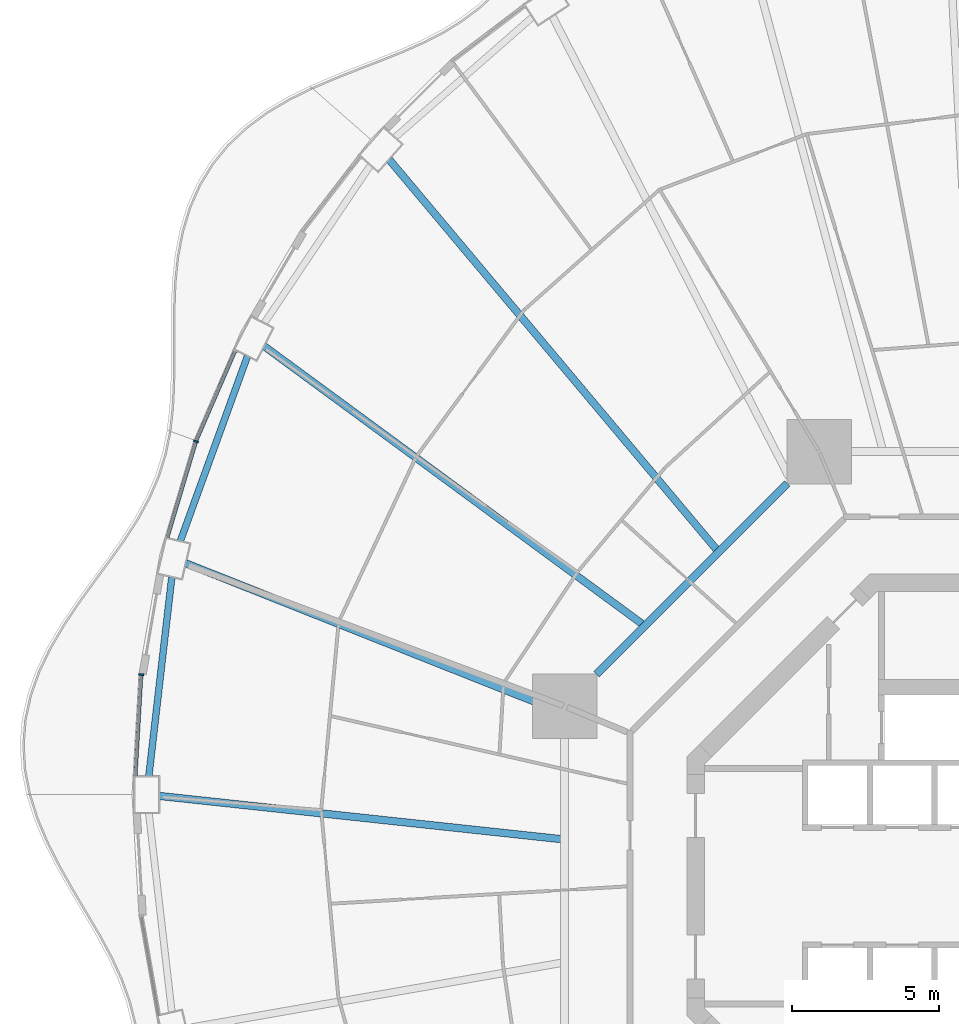
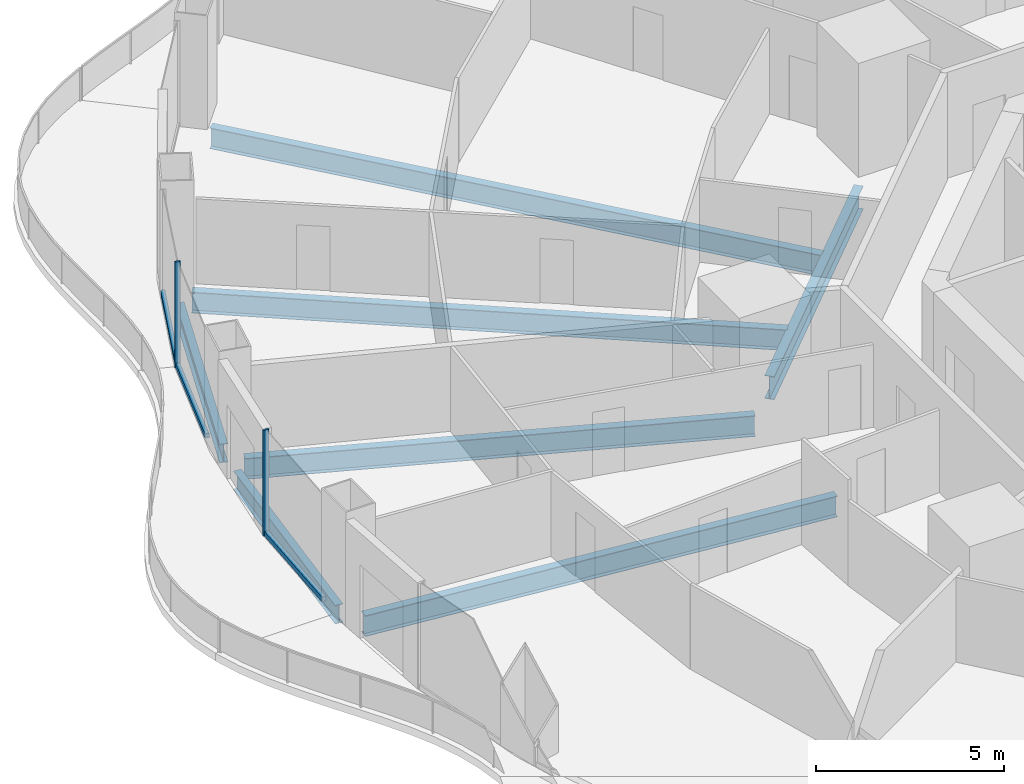
# One storey, part 7 of 22: 7 beams, 5 members, 3 elements without a shape of their own.
"""IFC4 building model written with IfcOpenShell, lengths in metres."""

from ifc_helpers import new_model, si_unit, direction, frame, origin, origin_2d, place, context, subcontext, project, spatial, rectangle, i_section, extrude, material, layer, layer_set, material_profile, profile_set, type_object, element, aggregate, save


model = new_model("IFC4")

# Units and contexts
model_context = context("Model", 3, precision=1e-05, world=origin(), true_north=direction((0.0, 1.0)))
body_context = subcontext(model_context, "Body", "Model", "MODEL_VIEW")
ifc_project = project(units=[si_unit("LENGTHUNIT", "METRE"), si_unit("AREAUNIT", "SQUARE_METRE"), si_unit("VOLUMEUNIT", "CUBIC_METRE"), si_unit("PLANEANGLEUNIT", "RADIAN"), si_unit("MASSUNIT", "GRAM", prefix="KILO")], contexts=[model_context])

# Site, building, storey
site_placement = place(None, origin())
site = spatial("IfcSite", under=ifc_project, at=site_placement, CompositionType="ELEMENT")
building_placement = place(site_placement, origin())
building = spatial("IfcBuilding", under=site, at=building_placement, Name="Nagisa Residences", CompositionType="ELEMENT")
storey_placement = place(building_placement, frame((0.0, 0.0, 88.10009765625)))
storey = spatial("IfcBuildingStorey", under=building, at=storey_placement, Name="L21", CompositionType="ELEMENT", Elevation=88.10009765625)

# Curtain wall, member
ifc_material_1 = material(Name="Concrete-coloured aluminium curtain wall system", Category="concrete")
ifc_layer = layer(ifc_material_1, 0.159912109375)
ifc_layer_set = layer_set([ifc_layer], Name="CW1 CURTAIN WALL")
curtain_wall_type = type_object("IfcCurtainWallType", Name="CW1 CURTAIN WALL", PredefinedType="NOTDEFINED", material=ifc_layer_set)
curtain_wall_1_placement = place(storey_placement, origin())
curtain_wall_1 = element("IfcCurtainWall", 1, at=curtain_wall_1_placement, inside=storey, type_object=curtain_wall_type, Name="cw:CW1:L21:21", PredefinedType="NOTDEFINED")
ifc_material_2 = material(Name="Concrete-coloured aluminium", Category="concrete")
ifc_material_profile_1 = material_profile(ifc_material_2, rectangle(XDim=0.159912109375, YDim=0.06005859375, at=origin_2d()), Name="CW1 MULLION 160x60")
ifc_profile_set_1 = profile_set([ifc_material_profile_1], Name="Concrete-coloured aluminium")
member_type_1 = type_object("IfcMemberType", Name="CW1 MULLION 160x60", PredefinedType="MULLION", material=ifc_profile_set_1)
member_1_placement = place(storey_placement, frame((-27.31884765625, 15.12646484375, 0.0), z_axis=(0.0, 0.0, 1.0), x_axis=(0.958271310082, -0.285860274038, 0.0)))
member_1 = element("IfcMember", 2, at=member_1_placement, type_object=member_type_1, Name="CW1 mullion", PredefinedType="MULLION", context=body_context, shape_type="SweptSolid", body=[
    extrude(rectangle(XDim=0.159912109375, YDim=0.06005859375, at=origin_2d()), origin(), (0.0, 0.0, 1.0), 3.43994140625),
])

curtain_wall_2_placement = place(storey_placement, origin())
curtain_wall_2 = element("IfcCurtainWall", 3, at=curtain_wall_2_placement, inside=storey, type_object=curtain_wall_type, Name="cw:CW1:L21:23", PredefinedType="NOTDEFINED")
member_2_placement = place(storey_placement, frame((-29.179931640625, 7.19677734375, 0.0), z_axis=(0.0, 0.0, 1.0), x_axis=(0.998345305184, -0.057503492216, 0.0)))
member_2 = element("IfcMember", 4, at=member_2_placement, type_object=member_type_1, Name="CW1 mullion", PredefinedType="MULLION", context=body_context, shape_type="SweptSolid", body=[
    extrude(rectangle(XDim=0.159912109375, YDim=0.06005859375, at=origin_2d()), origin(), (0.0, 0.0, 1.0), 3.43994140625),
])

curtain_wall_3_placement = place(storey_placement, origin())
curtain_wall_3 = element("IfcCurtainWall", 5, at=curtain_wall_3_placement, inside=storey, type_object=curtain_wall_type, Name="cw:CW1:L21:20", PredefinedType="NOTDEFINED")
ifc_material_3 = material(Name="Concrete-coloured aluminium", Category="concrete")
ifc_material_profile_2 = material_profile(ifc_material_3, rectangle(XDim=0.1201171875, YDim=0.14990234375, at=origin_2d()), Name="CW1 TRANSOM 120x150")
ifc_profile_set_2 = profile_set([ifc_material_profile_2], Name="Concrete-coloured aluminium")
member_type_2 = type_object("IfcMemberType", Name="CW1 TRANSOM 120x150", PredefinedType="USERDEFINED", material=ifc_profile_set_2)
member_3_placement = place(storey_placement, frame((-25.9697265625, 18.2470703125, 0.074951171875), z_axis=(-0.397621629246, -0.917549475481, 0.0), x_axis=(0.917549475481, -0.397621629246, 0.0)))
member_3 = element("IfcMember", 6, at=member_3_placement, type_object=member_type_2, Name="CW1 transom", ObjectType="TRANSOM", PredefinedType="USERDEFINED", context=body_context, shape_type="SweptSolid", body=[
    extrude(rectangle(XDim=0.1201171875, YDim=0.14990234375, at=origin_2d()), origin(), (0.0, 0.0, 1.0), 3.37939453125),
])
aggregate(curtain_wall_3, [member_3])

# Member
member_4_placement = place(storey_placement, frame((-27.310302734375, 15.155029296875, 0.074951171875), z_axis=(-0.285816610469, -0.958284334203, 0.0), x_axis=(0.958284334203, -0.285816610469, 0.0)))
member_4 = element("IfcMember", 7, at=member_4_placement, type_object=member_type_2, Name="CW1 transom", ObjectType="TRANSOM", PredefinedType="USERDEFINED", context=body_context, shape_type="SweptSolid", body=[
    extrude(rectangle(XDim=0.1201171875, YDim=0.14990234375, at=origin_2d()), origin(), (0.0, 0.0, 1.0), 3.423583984375),
])

aggregate(curtain_wall_1, [member_1, member_4])

member_5_placement = place(storey_placement, frame((-29.17822265625, 7.2265625, 0.074951171875), z_axis=(-0.057476526179, -0.99834685803, 0.0), x_axis=(0.99834685803, -0.057476526179, 0.0)))
member_5 = element("IfcMember", 8, at=member_5_placement, type_object=member_type_2, Name="CW1 transom", ObjectType="TRANSOM", PredefinedType="USERDEFINED", context=body_context, shape_type="SweptSolid", body=[
    extrude(rectangle(XDim=0.1201171875, YDim=0.14990234375, at=origin_2d()), origin(), (0.0, 0.0, 1.0), 3.47021484375),
])

aggregate(curtain_wall_2, [member_2, member_5])

# Beams
ifc_material_4 = material(Name="Steel ASTM A572 Gr 50", Category="steel")
ifc_material_profile_3 = material_profile(ifc_material_4, i_section(OverallWidth=0.264892578125, OverallDepth=0.7529296875, WebThickness=0.01318359375, FlangeThickness=0.01708984375, at=origin_2d()), Name="W760x147")
ifc_profile_set_3 = profile_set([ifc_material_profile_3], Name="Steel ASTM A572 Gr 50")
beam_type_1 = type_object("IfcBeamType", Name="Inner ring beam W760x147", PredefinedType="BEAM", material=ifc_profile_set_3)
beam_1_placement = place(storey_placement, frame((-7.208740234375, 13.6962890625, -0.63671875), z_axis=(-0.707106781187, -0.707106781187, 0.0), x_axis=(0.707106781187, -0.707106781187, 0.0)))
element("IfcBeam", 9, at=beam_1_placement, inside=storey, type_object=beam_type_1, Name="beam:L21:ib3", PredefinedType="BEAM", context=body_context, shape_type="SweptSolid", body=[
    extrude(i_section(OverallWidth=0.264892578125, OverallDepth=0.7529296875, WebThickness=0.01318359375, FlangeThickness=0.01708984375, at=origin_2d()), origin(), (0.0, 0.0, 1.0), 9.1748046875),
])
ifc_material_5 = material(Name="Steel ASTM A572 Gr 50", Category="steel")
ifc_material_profile_4 = material_profile(ifc_material_5, i_section(OverallWidth=0.22802734375, OverallDepth=0.60302734375, WebThickness=0.010498046875, FlangeThickness=0.014892578125, at=origin_2d()), Name="W610x101")
ifc_profile_set_4 = profile_set([ifc_material_profile_4], Name="Steel ASTM A572 Gr 50")
beam_type_2 = type_object("IfcBeamType", Name="Perimeter ring beam W610x101", PredefinedType="BEAM", material=ifc_profile_set_4)
beam_2_placement = place(storey_placement, frame((-25.568359375, 18.028564453125, -0.5615234375), z_axis=(-0.341365002286, -0.939930814057, 0.0), x_axis=(0.939930814057, -0.341365002286, 0.0)))
element("IfcBeam", 10, at=beam_2_placement, inside=storey, type_object=beam_type_2, Name="beam:L21:pb11", PredefinedType="BEAM", context=body_context, shape_type="SweptSolid", body=[
    extrude(i_section(OverallWidth=0.22802734375, OverallDepth=0.60302734375, WebThickness=0.010498046875, FlangeThickness=0.014892578125, at=origin_2d()), origin(), (0.0, 0.0, 1.0), 6.689208984375),
])
beam_3_placement = place(storey_placement, frame((-28.14111328125, 10.5146484375, -0.5615234375), z_axis=(-0.114690766503, -0.993401242237, 0.0), x_axis=(0.993401242237, -0.114690766503, 0.0)))
element("IfcBeam", 11, at=beam_3_placement, inside=storey, type_object=beam_type_2, Name="beam:L21:pb12", PredefinedType="BEAM", context=body_context, shape_type="SweptSolid", body=[
    extrude(i_section(OverallWidth=0.22802734375, OverallDepth=0.60302734375, WebThickness=0.010498046875, FlangeThickness=0.014892578125, at=origin_2d()), origin(), (0.0, 0.0, 1.0), 6.811767578125),
])
ifc_material_6 = material(Name="Steel ASTM A572 Gr 50", Category="steel")
ifc_material_profile_5 = material_profile(ifc_material_6, i_section(OverallWidth=0.2529296875, OverallDepth=0.677978515625, WebThickness=0.01171875, FlangeThickness=0.016357421875, at=origin_2d()), Name="W690x125")
ifc_profile_set_5 = profile_set([ifc_material_profile_5], Name="Steel ASTM A572 Gr 50")
beam_type_3 = type_object("IfcBeamType", Name="Radial beam W690x125", PredefinedType="BEAM", material=ifc_profile_set_5)
beam_4_placement = place(storey_placement, frame((-20.75, 24.71533203125, -0.59912109375), z_axis=(0.642994706096, -0.765870620884, 0.0), x_axis=(0.765870620884, 0.642994706096, 0.0)))
element("IfcBeam", 12, at=beam_4_placement, inside=storey, type_object=beam_type_3, Name="beam:L21:rb10", PredefinedType="BEAM", context=body_context, shape_type="SweptSolid", body=[
    extrude(i_section(OverallWidth=0.2529296875, OverallDepth=0.677978515625, WebThickness=0.01171875, FlangeThickness=0.016357421875, at=origin_2d()), origin(), (0.0, 0.0, 1.0), 17.319580078125),
])
beam_5_placement = place(storey_placement, frame((-25.0, 18.366943359375, -0.59912109375), z_axis=(0.805892392895, -0.59206203313, 0.0), x_axis=(0.59206203313, 0.805892392895, 0.0)))
element("IfcBeam", 13, at=beam_5_placement, inside=storey, type_object=beam_type_3, Name="beam:L21:rb11", PredefinedType="BEAM", context=body_context, shape_type="SweptSolid", body=[
    extrude(i_section(OverallWidth=0.2529296875, OverallDepth=0.677978515625, WebThickness=0.01171875, FlangeThickness=0.016357421875, at=origin_2d()), origin(), (0.0, 0.0, 1.0), 15.95361328125),
])
beam_6_placement = place(storey_placement, frame((-27.6640625, 10.984375, -0.59912109375), z_axis=(0.929418643834, -0.369027078267, 0.0), x_axis=(0.369027078267, 0.929418643834, 0.0)))
element("IfcBeam", 14, at=beam_6_placement, inside=storey, type_object=beam_type_3, Name="beam:L21:rb12", PredefinedType="BEAM", context=body_context, shape_type="SweptSolid", body=[
    extrude(i_section(OverallWidth=0.2529296875, OverallDepth=0.677978515625, WebThickness=0.01171875, FlangeThickness=0.016357421875, at=origin_2d()), origin(), (0.0, 0.0, 1.0), 13.73779296875),
])
beam_7_placement = place(storey_placement, frame((-28.56494140625, 3.071533203125, -0.59912109375), z_axis=(0.99426817007, -0.10691494744, 0.0), x_axis=(0.10691494744, 0.99426817007, 0.0)))
element("IfcBeam", 15, at=beam_7_placement, inside=storey, type_object=beam_type_3, Name="beam:L21:rb13", PredefinedType="BEAM", context=body_context, shape_type="SweptSolid", body=[
    extrude(i_section(OverallWidth=0.2529296875, OverallDepth=0.677978515625, WebThickness=0.01171875, FlangeThickness=0.016357421875, at=origin_2d()), origin(), (0.0, 0.0, 1.0), 13.7490234375),
])

save(model, "model.ifc")
